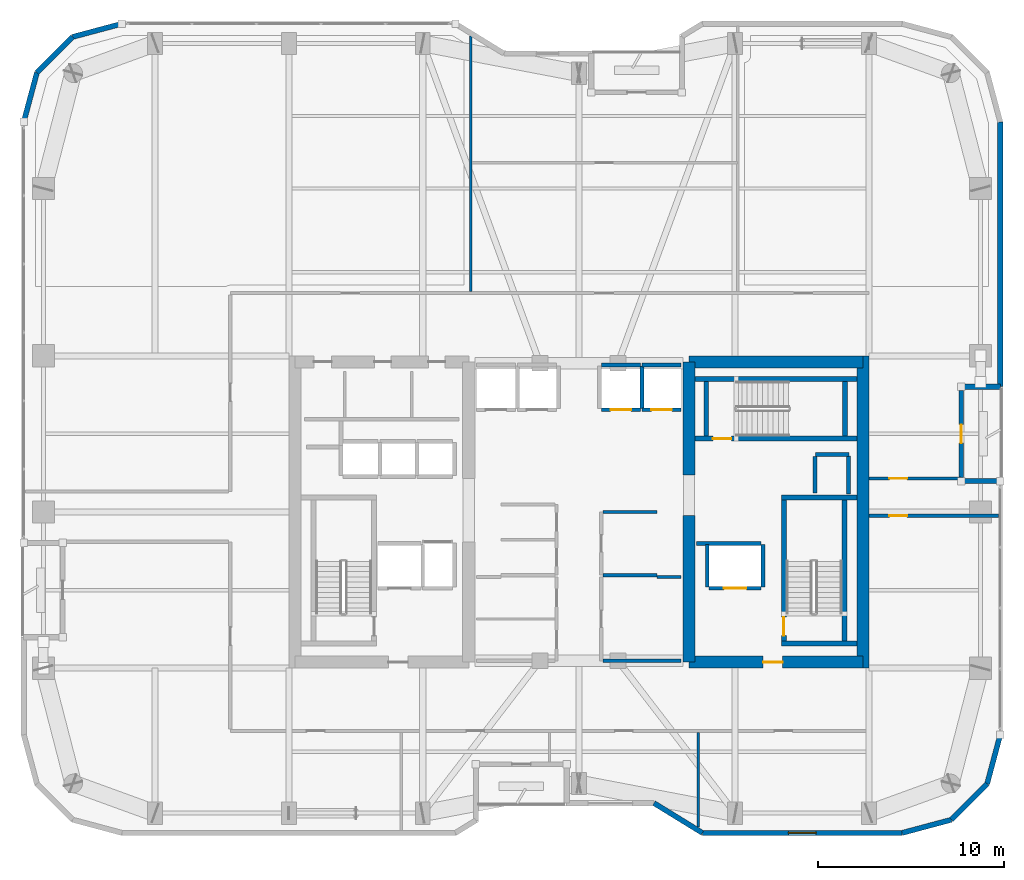
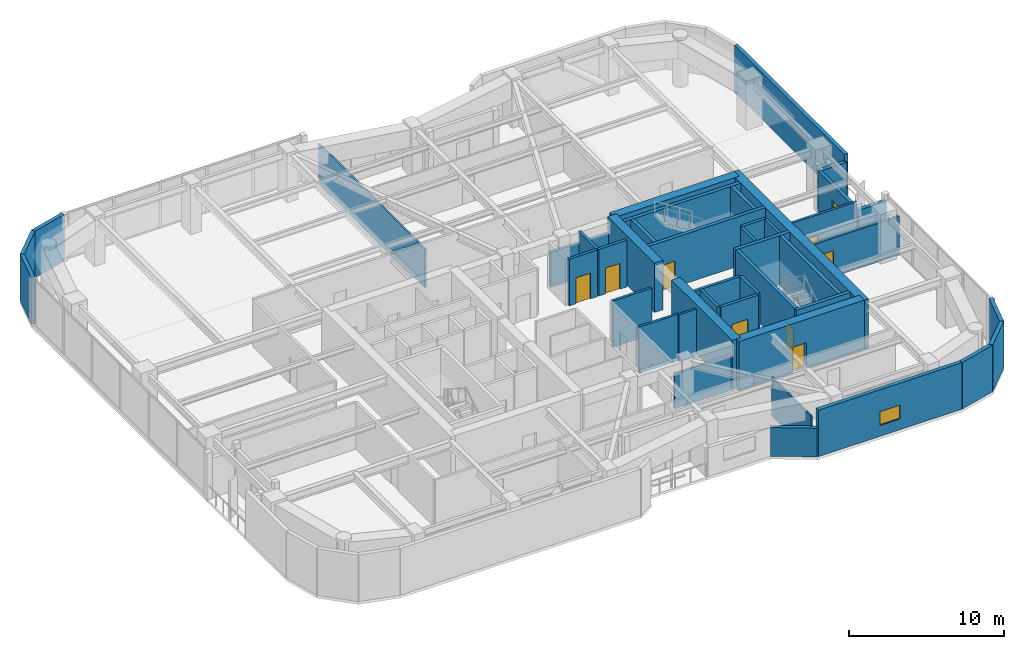
# One storey, part 26 of 30: 45 walls, 9 doors, 1 window, 10 openings.
"""IFC4 building model written with IfcOpenShell, lengths in metres."""

from ifc_helpers import new_model, si_unit, direction, frame, frame_2d, origin, place, context, subcontext, project, spatial, rectangle, extrude, material, layer, layer_set, type_object, element, fill, save


model = new_model("IFC4")

# Units and contexts
model_context = context("Model", 3, precision=1e-05, world=origin(), true_north=direction((0.0, 1.0)))
body_context = subcontext(model_context, "Body", "Model", "MODEL_VIEW")
ifc_project = project(units=[si_unit("LENGTHUNIT", "METRE"), si_unit("AREAUNIT", "SQUARE_METRE"), si_unit("VOLUMEUNIT", "CUBIC_METRE"), si_unit("PLANEANGLEUNIT", "RADIAN"), si_unit("MASSUNIT", "GRAM", prefix="KILO")], contexts=[model_context])

# Site, building, storey
site_placement = place(None, origin())
site = spatial("IfcSite", under=ifc_project, at=site_placement, CompositionType="ELEMENT")
building_placement = place(site_placement, origin())
building = spatial("IfcBuilding", under=site, at=building_placement, Name="Kiyonajd Concourse Tower", CompositionType="ELEMENT")
storey_placement = place(building_placement, frame((0.0, 0.0, 198.0)))
storey = spatial("IfcBuildingStorey", under=building, at=storey_placement, Name="L50", CompositionType="ELEMENT", Elevation=198.0)

# Walls
ifc_material_1 = material(Name="Concrete C60/75", Category="concrete")
ifc_layer_1 = layer(ifc_material_1, 0.64990234375)
ifc_layer_set_1 = layer_set([ifc_layer_1], Name="Concrete C60/75")
wall_type_1 = type_object("IfcWallType", Name="WL-CORE-650", PredefinedType="SHEAR", material=ifc_layer_set_1)
wall_1_placement = place(storey_placement, frame((53.925048828125, 27.925048828125, 0.0), z_axis=(0.0, 0.0, 1.0), x_axis=(0.0, 1.0, 0.0)))
element("IfcWall", 1, at=wall_1_placement, inside=storey, type_object=wall_type_1, Name="L50 East Core Inner South Shear Wall", PredefinedType="SHEAR", context=body_context, shape_type="SweptSolid", body=[
    extrude(rectangle(XDim=7.875, YDim=0.64990234375, at=frame_2d((3.9375, 0.0))), origin(), (0.0, 0.0, 1.0), 3.89990234375),
])
wall_2_placement = place(storey_placement, frame((53.925048828125, 38.0, 0.0), z_axis=(0.0, 0.0, 1.0), x_axis=(0.0, 1.0, 0.0)))
element("IfcWall", 2, at=wall_2_placement, inside=storey, type_object=wall_type_1, Name="L50 East Core Inner North Shear Wall", PredefinedType="SHEAR", context=body_context, shape_type="SweptSolid", body=[
    extrude(rectangle(XDim=6.074951171875, YDim=0.64990234375, at=frame_2d((3.03759765625, 0.0))), origin(), (0.0, 0.0, 1.0), 3.89990234375),
])
wall_3_placement = place(storey_placement, frame((63.27490234375, 27.60009765625, 0.0), z_axis=(0.0, 0.0, 1.0), x_axis=(0.0, 1.0, 0.0)))
element("IfcWall", 3, at=wall_3_placement, inside=storey, type_object=wall_type_1, Name="L50 East Core Outer Shear Wall", PredefinedType="SHEAR", context=body_context, shape_type="SweptSolid", body=[
    extrude(rectangle(XDim=16.7998046875, YDim=0.64990234375, at=frame_2d((8.39990234375, 0.0))), origin(), (0.0, 0.0, 1.0), 3.89990234375),
])

# Wall, opening, door
wall_4_placement = place(storey_placement, frame((53.925048828125, 27.925048828125, 0.0), z_axis=(0.0, 0.0, 1.0), x_axis=(1.0, 0.0, 0.0)))
wall_4 = element("IfcWall", 4, at=wall_4_placement, inside=storey, type_object=wall_type_1, Name="L50 East Core South Shear Wall", PredefinedType="SHEAR", context=body_context, shape_type="SweptSolid", body=[
    extrude(rectangle(XDim=9.349853515625, YDim=0.64990234375, at=frame_2d((4.6748046875, 0.0))), origin(), (0.0, 0.0, 1.0), 3.89990234375),
])
opening_1_placement = place(wall_4_placement, frame((3.97509765625, 0.0, 0.0)))
opening_1 = element("IfcOpeningElement", 5, at=opening_1_placement, cuts=wall_4, Name="Opening DF5", PredefinedType="OPENING", context=body_context, shape_type="SweptSolid", body=[
    extrude(rectangle(XDim=1.050048828125, YDim=2.0400390625, at=frame_2d((0.52490234375, 1.02001953125))), frame((0.0, 0.3349609375, 0.0), z_axis=(0.0, -1.0, 0.0), x_axis=(1.0, 0.0, 0.0)), (0.0, 0.0, 1.0), 0.669921875),
])
ifc_material_2 = material(Name="Brushed Stainless Steel Cab Assembly", Category="steel")
door_type_1 = type_object("IfcDoorType", Name="DR-FD45-1050", OperationType="NOTDEFINED", PredefinedType="DOOR", material=ifc_material_2)
door_1_placement = place(opening_1_placement, origin())
door_1 = element("IfcDoor", 6, at=door_1_placement, inside=storey, type_object=door_type_1, Name="L50 Firefighting Lift Lobby E Smoke Door", OperationType="SINGLE_SWING_RIGHT", OverallHeight=2.0400390625, OverallWidth=1.050048828125, PredefinedType="DOOR", context=body_context, shape_type="SweptSolid", body=[
    extrude(rectangle(XDim=1.050048828125, YDim=2.0400390625, at=frame_2d((0.52490234375, 1.02001953125))), frame((0.0, 0.02490234375, 0.0), z_axis=(0.0, -1.0, 0.0), x_axis=(1.0, 0.0, 0.0)), (0.0, 0.0, 1.0), 0.050048828125),
])
fill(opening_1, door_1)

# Walls
wall_5_placement = place(storey_placement, frame((53.925048828125, 44.074951171875, 0.0), z_axis=(0.0, 0.0, 1.0), x_axis=(1.0, 0.0, 0.0)))
element("IfcWall", 7, at=wall_5_placement, inside=storey, type_object=wall_type_1, Name="L50 East Core North Shear Wall", PredefinedType="SHEAR", context=body_context, shape_type="SweptSolid", body=[
    extrude(rectangle(XDim=9.349853515625, YDim=0.64990234375, at=frame_2d((4.6748046875, 0.0))), origin(), (0.0, 0.0, 1.0), 3.89990234375),
])
ifc_material_3 = material(Name="Precast concrete C50/60", Category="concrete")
ifc_layer_2 = layer(ifc_material_3, 0.280029296875)
ifc_layer_set_2 = layer_set([ifc_layer_2], Name="Precast concrete C50/60")
wall_type_2 = type_object("IfcWallType", Name="WL-EXT-280", PredefinedType="SOLIDWALL", material=ifc_layer_set_2)
wall_6_placement = place(storey_placement, frame((18.139892578125, 56.981689453125, 0.0), z_axis=(0.0, 0.0, 1.0), x_axis=(0.258672222976, 0.9659651552, 0.0)))
element("IfcWall", 8, at=wall_6_placement, inside=storey, type_object=wall_type_2, Name="L50 Exterior Concrete Frame Wall 06", PredefinedType="SOLIDWALL", context=body_context, shape_type="SweptSolid", body=[
    extrude(rectangle(XDim=2.739013671875, YDim=0.280029296875, at=frame_2d((1.36962890625, 0.0))), origin(), (0.0, 0.0, 1.0), 3.679931640625),
])
wall_7_placement = place(storey_placement, frame((18.848388671875, 59.62744140625, 0.0), z_axis=(0.0, 0.0, 1.0), x_axis=(0.707106781187, 0.707106781187, 0.0)))
element("IfcWall", 9, at=wall_7_placement, inside=storey, type_object=wall_type_2, Name="L50 Exterior Concrete Frame Wall 07", PredefinedType="SOLIDWALL", context=body_context, shape_type="SweptSolid", body=[
    extrude(rectangle(XDim=2.720947265625, YDim=0.280029296875, at=frame_2d((1.3603515625, 0.0))), origin(), (0.0, 0.0, 1.0), 3.679931640625),
])
wall_8_placement = place(storey_placement, frame((20.7724609375, 61.551513671875, 0.0), z_axis=(0.0, 0.0, 1.0), x_axis=(0.965971118627, 0.258649952598, 0.0)))
element("IfcWall", 10, at=wall_8_placement, inside=storey, type_object=wall_type_2, Name="L50 Exterior Concrete Frame Wall 08", PredefinedType="SOLIDWALL", context=body_context, shape_type="SweptSolid", body=[
    extrude(rectangle(XDim=2.7392578125, YDim=0.280029296875, at=frame_2d((1.36962890625, 0.0))), origin(), (0.0, 0.0, 1.0), 3.679931640625),
])
wall_9_placement = place(storey_placement, frame((70.659912109375, 56.981689453125, 0.0), z_axis=(0.0, 0.0, 1.0), x_axis=(0.0, -1.0, 0.0)))
element("IfcWall", 11, at=wall_9_placement, inside=storey, type_object=wall_type_2, Name="L50 Exterior Concrete Frame Wall 20", PredefinedType="SOLIDWALL", context=body_context, shape_type="SweptSolid", body=[
    extrude(rectangle(XDim=14.24169921875, YDim=0.280029296875, at=frame_2d((7.120849609375, 0.0))), origin(), (0.0, 0.0, 1.0), 3.679931640625),
])
for number, where, z_axis, x_axis, name in (
    (12, (70.659912109375, 42.739990234375, 0.0), (0.0, 0.0, 1.0), (-1.0, 0.0, 0.0), "L50 Exterior Concrete Frame Wall 21"),
    (13, (68.56005859375, 37.659912109375, 0.0), (0.0, 0.0, 1.0), (1.0, 0.0, 0.0), "L50 Exterior Concrete Frame Wall 23"),
):
    element("IfcWall", number, at=place(storey_placement, frame(where, z_axis=z_axis, x_axis=x_axis)), inside=storey, type_object=wall_type_2, Name=name, PredefinedType="SOLIDWALL", context=body_context, shape_type="SweptSolid", body=[
        extrude(rectangle(XDim=2.099853515625, YDim=0.280029296875, at=frame_2d((1.0498046875, 0.0))), origin(), (0.0, 0.0, 1.0), 3.115966796875),
    ])
wall_10_placement = place(storey_placement, frame((70.659912109375, 24.018310546875, 0.0), z_axis=(0.0, 0.0, 1.0), x_axis=(-0.258672222976, -0.9659651552, 0.0)))
element("IfcWall", 14, at=wall_10_placement, inside=storey, type_object=wall_type_2, Name="L50 Exterior Concrete Frame Wall 25", PredefinedType="SOLIDWALL", context=body_context, shape_type="SweptSolid", body=[
    extrude(rectangle(XDim=2.739013671875, YDim=0.280029296875, at=frame_2d((1.36962890625, 0.0))), origin(), (0.0, 0.0, 1.0), 3.679931640625),
])
wall_11_placement = place(storey_placement, frame((69.951416015625, 21.37255859375, 0.0), z_axis=(0.0, 0.0, 1.0), x_axis=(-0.707061915429, -0.707151644098, 0.0)))
element("IfcWall", 15, at=wall_11_placement, inside=storey, type_object=wall_type_2, Name="L50 Exterior Concrete Frame Wall 26", PredefinedType="SOLIDWALL", context=body_context, shape_type="SweptSolid", body=[
    extrude(rectangle(XDim=2.720947265625, YDim=0.280029296875, at=frame_2d((1.3603515625, 0.0))), origin(), (0.0, 0.0, 1.0), 3.679931640625),
])
wall_12_placement = place(storey_placement, frame((68.027587890625, 19.448486328125, 0.0), z_axis=(0.0, 0.0, 1.0), x_axis=(-0.965971118627, -0.258649952598, 0.0)))
element("IfcWall", 16, at=wall_12_placement, inside=storey, type_object=wall_type_2, Name="L50 Exterior Concrete Frame Wall 27", PredefinedType="SOLIDWALL", context=body_context, shape_type="SweptSolid", body=[
    extrude(rectangle(XDim=2.7392578125, YDim=0.280029296875, at=frame_2d((1.36962890625, 0.0))), origin(), (0.0, 0.0, 1.0), 3.679931640625),
])

# Wall, opening, window
wall_13_placement = place(storey_placement, frame((65.381591796875, 18.739990234375, 0.0), z_axis=(0.0, 0.0, 1.0), x_axis=(-1.0, 0.0, 0.0)))
wall_13 = element("IfcWall", 17, at=wall_13_placement, inside=storey, type_object=wall_type_2, Name="L50 Exterior Concrete Frame Wall 28", PredefinedType="SOLIDWALL", context=body_context, shape_type="SweptSolid", body=[
    extrude(rectangle(XDim=10.741943359375, YDim=0.280029296875, at=frame_2d((5.37109375, 0.0))), origin(), (0.0, 0.0, 1.0), 3.679931640625),
])
opening_2_placement = place(wall_13_placement, frame((4.62109375, 0.0, 0.85009765625)))
opening_2 = element("IfcOpeningElement", 18, at=opening_2_placement, cuts=wall_13, Name="Opening WN2", PredefinedType="OPENING", context=body_context, shape_type="SweptSolid", body=[
    extrude(rectangle(XDim=1.5, YDim=1.10009765625, at=frame_2d((0.75, 0.550048828125))), frame((0.0, 0.14990234375, 0.0), z_axis=(0.0, -1.0, 0.0), x_axis=(1.0, 0.0, 0.0)), (0.0, 0.0, 1.0), 0.300048828125),
])
ifc_material_4 = material(Name="Double Low-E Insulated Glass", Category="glass")
window_type = type_object("IfcWindowType", Name="WN-VIS-1500x1100", PartitioningType="SINGLE_PANEL", PredefinedType="WINDOW", material=ifc_material_4)
window_placement = place(opening_2_placement, origin())
window = element("IfcWindow", 19, at=window_placement, inside=storey, type_object=window_type, Name="L50 Modular Facade Vision Window 28", OverallHeight=1.10009765625, OverallWidth=1.5, PartitioningType="SINGLE_PANEL", PredefinedType="WINDOW", context=body_context, shape_type="SweptSolid", body=[
    extrude(rectangle(XDim=1.5, YDim=1.10009765625, at=frame_2d((0.75, 0.550048828125))), frame((0.0, 0.030029296875, 0.0), z_axis=(0.0, -1.0, 0.0), x_axis=(1.0, 0.0, 0.0)), (0.0, 0.0, 1.0), 0.06005859375),
])
fill(opening_2, window)

# Wall
wall_14_placement = place(storey_placement, frame((54.6396484375, 18.739990234375, 0.0), z_axis=(0.0, 0.0, 1.0), x_axis=(-0.851652825334, 0.524106349037, 0.0)))
element("IfcWall", 20, at=wall_14_placement, inside=storey, type_object=wall_type_2, Name="L50 Exterior Concrete Frame Wall 29", PredefinedType="SOLIDWALL", context=body_context, shape_type="SweptSolid", body=[
    extrude(rectangle(XDim=3.052978515625, YDim=0.280029296875, at=frame_2d((1.5263671875, 0.0))), origin(), (0.0, 0.0, 1.0), 2.264892578125),
])

# Wall, opening, door
ifc_layer_3 = layer(ifc_material_3, 0.239990234375)
ifc_layer_set_3 = layer_set([ifc_layer_3], Name="Precast concrete C50/60")
wall_type_3 = type_object("IfcWallType", Name="WL-LOG-240", PredefinedType="SOLIDWALL", material=ifc_layer_set_3)
wall_15_placement = place(storey_placement, frame((68.56005859375, 42.544921875, 0.0), z_axis=(0.0, 0.0, 1.0), x_axis=(0.0, -1.0, 0.0)))
wall_15 = element("IfcWall", 21, at=wall_15_placement, inside=storey, type_object=wall_type_3, Name="L50 Recessed Loggia Thermal Wall LOG-E", PredefinedType="SOLIDWALL", context=body_context, shape_type="SweptSolid", body=[
    extrude(rectangle(XDim=4.68994140625, YDim=0.239990234375, at=frame_2d((2.344970703125, 0.0))), origin(), (0.0, 0.0, 1.0), 3.248046875),
])
opening_3_placement = place(wall_15_placement, frame((1.844970703125, 0.0, 0.0)))
opening_3 = element("IfcOpeningElement", 22, at=opening_3_placement, cuts=wall_15, Name="Opening DL1", PredefinedType="OPENING", context=body_context, shape_type="SweptSolid", body=[
    extrude(rectangle(XDim=1.0, YDim=2.02001953125, at=frame_2d((0.5, 1.010009765625))), frame((0.0, 0.1298828125, 0.0), z_axis=(0.0, -1.0, 0.0), x_axis=(1.0, 0.0, 0.0)), (0.0, 0.0, 1.0), 0.260009765625),
])
ifc_material_5 = material(Name="Thermally Broken Anodised Aluminium", Category="aluminium")
door_type_2 = type_object("IfcDoorType", Name="DR-LOG-1000", OperationType="NOTDEFINED", PredefinedType="DOOR", material=ifc_material_5)
door_2_placement = place(opening_3_placement, origin())
door_2 = element("IfcDoor", 23, at=door_2_placement, inside=storey, type_object=door_type_2, Name="L50 Engawa Loggia Access Door LOG-E", OperationType="SINGLE_SWING_LEFT", OverallHeight=2.02001953125, OverallWidth=1.0, PredefinedType="DOOR", context=body_context, shape_type="SweptSolid", body=[
    extrude(rectangle(XDim=1.0, YDim=2.02001953125, at=frame_2d((0.5, 1.010009765625))), frame((0.0, 0.02490234375, 0.0), z_axis=(0.0, -1.0, 0.0), x_axis=(1.0, 0.0, 0.0)), (0.0, 0.0, 1.0), 0.050048828125),
])
fill(opening_3, door_2)

# Walls
ifc_material_6 = material(Name="Gypsum Board on Cold-Formed Steel Stud", Category="steel")
ifc_layer_4 = layer(ifc_material_6, 0.125)
ifc_layer_set_4 = layer_set([ifc_layer_4], Name="Gypsum Board on Cold-Formed Steel Stud")
wall_type_4 = type_object("IfcWallType", Name="WL-PART-125", PredefinedType="PARTITIONING", material=ifc_layer_set_4)
wall_16_placement = place(storey_placement, frame((54.409912109375, 19.050048828125, 0.0), z_axis=(0.0, 0.0, 1.0), x_axis=(0.0, 1.0, 0.0)))
element("IfcWall", 24, at=wall_16_placement, inside=storey, type_object=wall_type_4, Name="L50 Interior Partition Wall", PredefinedType="PARTITIONING", context=body_context, shape_type="SweptSolid", body=[
    extrude(rectangle(XDim=5.093017578125, YDim=0.125, at=frame_2d((2.54638671875, 0.0))), origin(), (0.0, 0.0, 1.0), 3.04296875),
])
wall_17_placement = place(storey_placement, frame((42.179931640625, 47.85693359375, 0.0), z_axis=(0.0, 0.0, 1.0), x_axis=(0.0, 1.0, 0.0)))
element("IfcWall", 25, at=wall_17_placement, inside=storey, type_object=wall_type_4, Name="L50 Interior Partition Wall", PredefinedType="PARTITIONING", context=body_context, shape_type="SweptSolid", body=[
    extrude(rectangle(XDim=13.72998046875, YDim=0.125, at=frame_2d((6.864990234375, 0.0))), origin(), (0.0, 0.0, 1.0), 3.04296875),
])
ifc_layer_5 = layer(ifc_material_6, 0.2099609375)
ifc_layer_set_5 = layer_set([ifc_layer_5], Name="Gypsum Board on Cold-Formed Steel Stud")
wall_type_5 = type_object("IfcWallType", Name="WL-SHAFT-210", PredefinedType="PARTITIONING", material=ifc_layer_set_5)
wall_18_placement = place(storey_placement, frame((60.719970703125, 39.10009765625, 0.0), z_axis=(0.0, 0.0, 1.0), x_axis=(1.0, 0.0, 0.0)))
element("IfcWall", 26, at=wall_18_placement, inside=storey, type_object=wall_type_5, Name="L50 Shaft Enclosure Wall", PredefinedType="PARTITIONING", context=body_context, shape_type="SweptSolid", body=[
    extrude(rectangle(XDim=1.800048828125, YDim=0.2099609375, at=frame_2d((0.89990234375, 0.0))), origin(), (0.0, 0.0, 1.0), 3.679931640625),
])
wall_19_placement = place(storey_placement, frame((60.699951171875, 37.02001953125, 0.0), z_axis=(0.0, 0.0, 1.0), x_axis=(0.0, 1.0, 0.0)))
element("IfcWall", 27, at=wall_19_placement, inside=storey, type_object=wall_type_5, Name="L50 Shaft Enclosure Wall", PredefinedType="PARTITIONING", context=body_context, shape_type="SweptSolid", body=[
    extrude(rectangle(XDim=1.9599609375, YDim=0.2099609375, at=frame_2d((0.97998046875, 0.0))), origin(), (0.0, 0.0, 1.0), 3.679931640625),
])
wall_20_placement = place(storey_placement, frame((62.5, 36.97998046875, 0.0), z_axis=(0.0, 0.0, 1.0), x_axis=(0.0, 1.0, 0.0)))
element("IfcWall", 28, at=wall_20_placement, inside=storey, type_object=wall_type_5, Name="L50 Shaft Enclosure Wall", PredefinedType="PARTITIONING", context=body_context, shape_type="SweptSolid", body=[
    extrude(rectangle(XDim=2.0400390625, YDim=0.2099609375, at=frame_2d((1.02001953125, 0.0))), origin(), (0.0, 0.0, 1.0), 3.679931640625),
])

# Wall, opening, door
wall_21_placement = place(storey_placement, frame((55.0, 31.89990234375, 0.0), z_axis=(0.0, 0.0, 1.0), x_axis=(1.0, 0.0, 0.0)))
wall_21 = element("IfcWall", 29, at=wall_21_placement, inside=storey, type_object=wall_type_5, Name="L50 Shaft Enclosure Wall", PredefinedType="PARTITIONING", context=body_context, shape_type="SweptSolid", body=[
    extrude(rectangle(XDim=2.800048828125, YDim=0.2099609375, at=frame_2d((1.39990234375, 0.0))), origin(), (0.0, 0.0, 1.0), 3.679931640625),
])
opening_4_placement = place(wall_21_placement, frame((0.800048828125, 0.0, 0.0)))
opening_4 = element("IfcOpeningElement", 30, at=opening_4_placement, cuts=wall_21, Name="Opening LD2", PredefinedType="OPENING", context=body_context, shape_type="SweptSolid", body=[
    extrude(rectangle(XDim=1.199951171875, YDim=2.0400390625, at=frame_2d((0.60009765625, 1.02001953125))), frame((0.0, 0.114990234375, 0.0), z_axis=(0.0, -1.0, 0.0), x_axis=(1.0, 0.0, 0.0)), (0.0, 0.0, 1.0), 0.22998046875),
])
door_type_3 = type_object("IfcDoorType", Name="DR-LD-1200", OperationType="DOUBLE_DOOR_SLIDING", PredefinedType="DOOR", material=ifc_material_2)
door_3_placement = place(opening_4_placement, origin())
door_3 = element("IfcDoor", 31, at=door_3_placement, inside=storey, type_object=door_type_3, Name="L50 Lift FFL2 Sliding Landing Door", OperationType="DOUBLE_DOOR_SLIDING", OverallHeight=2.0400390625, OverallWidth=1.199951171875, PredefinedType="DOOR", context=body_context, shape_type="SweptSolid", body=[
    extrude(rectangle(XDim=1.199951171875, YDim=2.0400390625, at=frame_2d((0.60009765625, 1.02001953125))), frame((0.0, 0.02490234375, 0.0), z_axis=(0.0, -1.0, 0.0), x_axis=(1.0, 0.0, 0.0)), (0.0, 0.0, 1.0), 0.050048828125),
])
fill(opening_4, door_3)

# Walls
wall_22_placement = place(storey_placement, frame((54.320068359375, 34.300048828125, 0.0), z_axis=(0.0, 0.0, 1.0), x_axis=(1.0, 0.0, 0.0)))
element("IfcWall", 32, at=wall_22_placement, inside=storey, type_object=wall_type_5, Name="L50 Shaft Enclosure Wall", PredefinedType="PARTITIONING", context=body_context, shape_type="SweptSolid", body=[
    extrude(rectangle(XDim=3.47998046875, YDim=0.2099609375, at=frame_2d((1.739990234375, 0.0))), origin(), (0.0, 0.0, 1.0), 3.679931640625),
])
for number, where, z_axis, x_axis, name in (
    (33, (54.89990234375, 31.9599609375, 0.0), (0.0, 0.0, 1.0), (0.0, 1.0, 0.0), "L50 Shaft Enclosure Wall"),
    (34, (57.89990234375, 31.9599609375, 0.0), (0.0, 0.0, 1.0), (0.0, 1.0, 0.0), "L50 Shaft Enclosure Wall"),
):
    element("IfcWall", number, at=place(storey_placement, frame(where, z_axis=z_axis, x_axis=x_axis)), inside=storey, type_object=wall_type_5, Name=name, PredefinedType="PARTITIONING", context=body_context, shape_type="SweptSolid", body=[
        extrude(rectangle(XDim=2.280029296875, YDim=0.2099609375, at=frame_2d((1.14013671875, 0.0))), origin(), (0.0, 0.0, 1.0), 3.679931640625),
    ])

# Wall, opening, door
wall_23_placement = place(storey_placement, frame((49.199951171875, 41.5, 0.0), z_axis=(0.0, 0.0, 1.0), x_axis=(1.0, 0.0, 0.0)))
wall_23 = element("IfcWall", 35, at=wall_23_placement, inside=storey, type_object=wall_type_5, Name="L50 Shaft Enclosure Wall", PredefinedType="PARTITIONING", context=body_context, shape_type="SweptSolid", body=[
    extrude(rectangle(XDim=2.10009765625, YDim=0.2099609375, at=frame_2d((1.050048828125, 0.0))), origin(), (0.0, 0.0, 1.0), 3.679931640625),
])
opening_5_placement = place(wall_23_placement, frame((0.5, 0.0, 0.0)))
opening_5 = element("IfcOpeningElement", 36, at=opening_5_placement, cuts=wall_23, Name="Opening LD1", PredefinedType="OPENING", context=body_context, shape_type="SweptSolid", body=[
    extrude(rectangle(XDim=1.10009765625, YDim=2.0400390625, at=frame_2d((0.550048828125, 1.02001953125))), frame((0.0, 0.114990234375, 0.0), z_axis=(0.0, -1.0, 0.0), x_axis=(1.0, 0.0, 0.0)), (0.0, 0.0, 1.0), 0.22998046875),
])
door_type_4 = type_object("IfcDoorType", Name="DR-LD-1100", OperationType="DOUBLE_DOOR_SLIDING", PredefinedType="DOOR", material=ifc_material_2)
door_4_placement = place(opening_5_placement, origin())
door_4 = element("IfcDoor", 37, at=door_4_placement, inside=storey, type_object=door_type_4, Name="L50 Lift PL-M3 Sliding Landing Door", OperationType="DOUBLE_DOOR_SLIDING", OverallHeight=2.0400390625, OverallWidth=1.10009765625, PredefinedType="DOOR", context=body_context, shape_type="SweptSolid", body=[
    extrude(rectangle(XDim=1.10009765625, YDim=2.0400390625, at=frame_2d((0.550048828125, 1.02001953125))), frame((0.0, 0.02490234375, 0.0), z_axis=(0.0, -1.0, 0.0), x_axis=(1.0, 0.0, 0.0)), (0.0, 0.0, 1.0), 0.050048828125),
])
fill(opening_5, door_4)

# Walls
wall_24_placement = place(storey_placement, frame((49.199951171875, 43.89990234375, 0.0), z_axis=(0.0, 0.0, 1.0), x_axis=(1.0, 0.0, 0.0)))
element("IfcWall", 38, at=wall_24_placement, inside=storey, type_object=wall_type_5, Name="L50 Shaft Enclosure Wall", PredefinedType="PARTITIONING", context=body_context, shape_type="SweptSolid", body=[
    extrude(rectangle(XDim=2.10009765625, YDim=0.2099609375, at=frame_2d((1.050048828125, 0.0))), origin(), (0.0, 0.0, 1.0), 2.764892578125),
])
wall_25_placement = place(storey_placement, frame((51.39990234375, 41.56005859375, 0.0), z_axis=(0.0, 0.0, 1.0), x_axis=(0.0, 1.0, 0.0)))
element("IfcWall", 39, at=wall_25_placement, inside=storey, type_object=wall_type_5, Name="L50 Shaft Enclosure Wall", PredefinedType="PARTITIONING", context=body_context, shape_type="SweptSolid", body=[
    extrude(rectangle(XDim=2.280029296875, YDim=0.2099609375, at=frame_2d((1.14013671875, 0.0))), origin(), (0.0, 0.0, 1.0), 3.679931640625),
])

# Wall, opening, door
wall_26_placement = place(storey_placement, frame((51.39990234375, 41.5, 0.0), z_axis=(0.0, 0.0, 1.0), x_axis=(1.0, 0.0, 0.0)))
wall_26 = element("IfcWall", 40, at=wall_26_placement, inside=storey, type_object=wall_type_5, Name="L50 Shaft Enclosure Wall", PredefinedType="PARTITIONING", context=body_context, shape_type="SweptSolid", body=[
    extrude(rectangle(XDim=2.10009765625, YDim=0.2099609375, at=frame_2d((1.050048828125, 0.0))), origin(), (0.0, 0.0, 1.0), 3.679931640625),
])
opening_6_placement = place(wall_26_placement, frame((0.5, 0.0, 0.0)))
opening_6 = element("IfcOpeningElement", 41, at=opening_6_placement, cuts=wall_26, Name="Opening LD1", PredefinedType="OPENING", context=body_context, shape_type="SweptSolid", body=[
    extrude(rectangle(XDim=1.10009765625, YDim=2.0400390625, at=frame_2d((0.550048828125, 1.02001953125))), frame((0.0, 0.114990234375, 0.0), z_axis=(0.0, -1.0, 0.0), x_axis=(1.0, 0.0, 0.0)), (0.0, 0.0, 1.0), 0.22998046875),
])
door_5_placement = place(opening_6_placement, origin())
door_5 = element("IfcDoor", 42, at=door_5_placement, inside=storey, type_object=door_type_4, Name="L50 Lift PL-M4 Sliding Landing Door", OperationType="DOUBLE_DOOR_SLIDING", OverallHeight=2.0400390625, OverallWidth=1.10009765625, PredefinedType="DOOR", context=body_context, shape_type="SweptSolid", body=[
    extrude(rectangle(XDim=1.10009765625, YDim=2.0400390625, at=frame_2d((0.550048828125, 1.02001953125))), frame((0.0, 0.02490234375, 0.0), z_axis=(0.0, -1.0, 0.0), x_axis=(1.0, 0.0, 0.0)), (0.0, 0.0, 1.0), 0.050048828125),
])
fill(opening_6, door_5)

# Walls
wall_27_placement = place(storey_placement, frame((51.39990234375, 43.89990234375, 0.0), z_axis=(0.0, 0.0, 1.0), x_axis=(1.0, 0.0, 0.0)))
element("IfcWall", 43, at=wall_27_placement, inside=storey, type_object=wall_type_5, Name="L50 Shaft Enclosure Wall", PredefinedType="PARTITIONING", context=body_context, shape_type="SweptSolid", body=[
    extrude(rectangle(XDim=2.10009765625, YDim=0.2099609375, at=frame_2d((1.050048828125, 0.0))), origin(), (0.0, 0.0, 1.0), 2.764892578125),
])
ifc_layer_6 = layer(ifc_material_6, 0.169921875)
ifc_layer_set_6 = layer_set([ifc_layer_6], Name="Gypsum Board on Cold-Formed Steel Stud")
wall_type_6 = type_object("IfcWallType", Name="WL-SMK-170", PredefinedType="PARTITIONING", material=ifc_layer_set_6)
for number, where, z_axis, x_axis, name in (
    (44, (49.287109375, 32.60009765625, 0.0), (0.0, 0.0, 1.0), (1.0, 0.0, 0.0), "L50 Interior Partition Wall"),
    (45, (49.287109375, 36.0, 0.0), (0.0, 0.0, 1.0), (1.0, 0.0, 0.0), "L50 Interior Partition Wall"),
):
    element("IfcWall", number, at=place(storey_placement, frame(where, z_axis=z_axis, x_axis=x_axis)), inside=storey, type_object=wall_type_6, Name=name, PredefinedType="PARTITIONING", context=body_context, shape_type="SweptSolid", body=[
        extrude(rectangle(XDim=2.912841796875, YDim=0.169921875, at=frame_2d((1.45654296875, 0.0))), origin(), (0.0, 0.0, 1.0), 3.679931640625),
    ])
wall_28_placement = place(storey_placement, frame((49.287109375, 28.0, 0.0), z_axis=(0.0, 0.0, 1.0), x_axis=(1.0, 0.0, 0.0)))
element("IfcWall", 46, at=wall_28_placement, inside=storey, type_object=wall_type_6, Name="L50 Interior Partition Wall", PredefinedType="PARTITIONING", context=body_context, shape_type="SweptSolid", body=[
    extrude(rectangle(XDim=4.212890625, YDim=0.169921875, at=frame_2d((2.1064453125, 0.0))), origin(), (0.0, 0.0, 1.0), 2.764892578125),
])
wall_29_placement = place(storey_placement, frame((52.199951171875, 32.5, 0.0), z_axis=(0.0, 0.0, 1.0), x_axis=(1.0, 0.0, 0.0)))
element("IfcWall", 47, at=wall_29_placement, inside=storey, type_object=wall_type_6, Name="L50 Interior Partition Wall", PredefinedType="PARTITIONING", context=body_context, shape_type="SweptSolid", body=[
    extrude(rectangle(XDim=1.300048828125, YDim=0.169921875, at=frame_2d((0.64990234375, 0.0))), origin(), (0.0, 0.0, 1.0), 3.679931640625),
])

# Wall, opening, door
wall_30_placement = place(storey_placement, frame((63.60009765625, 35.800048828125, 0.0), z_axis=(0.0, 0.0, 1.0), x_axis=(1.0, 0.0, 0.0)))
wall_30 = element("IfcWall", 48, at=wall_30_placement, inside=storey, type_object=wall_type_6, Name="L50 Interior Partition Wall", PredefinedType="PARTITIONING", context=body_context, shape_type="SweptSolid", body=[
    extrude(rectangle(XDim=6.974853515625, YDim=0.169921875, at=frame_2d((3.4873046875, 0.0))), origin(), (0.0, 0.0, 1.0), 3.04296875),
])
opening_7_placement = place(wall_30_placement, frame((1.10009765625, 0.0, 0.0)))
opening_7 = element("IfcOpeningElement", 49, at=opening_7_placement, cuts=wall_30, Name="Opening DI1", PredefinedType="OPENING", context=body_context, shape_type="SweptSolid", body=[
    extrude(rectangle(XDim=0.949951171875, YDim=2.0400390625, at=frame_2d((0.47509765625, 1.02001953125))), frame((0.0, 0.094970703125, 0.0), z_axis=(0.0, -1.0, 0.0), x_axis=(1.0, 0.0, 0.0)), (0.0, 0.0, 1.0), 0.18994140625),
])
ifc_material_7 = material(Name="Natural Oak Acoustic Timber Veneer", Category="wood")
door_type_5 = type_object("IfcDoorType", Name="DR-INT-950", OperationType="NOTDEFINED", PredefinedType="DOOR", material=ifc_material_7)
door_6_placement = place(opening_7_placement, origin())
door_6 = element("IfcDoor", 50, at=door_6_placement, inside=storey, type_object=door_type_5, Name="L50 Interior Door", OperationType="SINGLE_SWING_RIGHT", OverallHeight=2.0400390625, OverallWidth=0.949951171875, PredefinedType="DOOR", context=body_context, shape_type="SweptSolid", body=[
    extrude(rectangle(XDim=0.949951171875, YDim=2.0400390625, at=frame_2d((0.47509765625, 1.02001953125))), frame((0.0, 0.02490234375, 0.0), z_axis=(0.0, -1.0, 0.0), x_axis=(1.0, 0.0, 0.0)), (0.0, 0.0, 1.0), 0.050048828125),
])
fill(opening_7, door_6)

wall_31_placement = place(storey_placement, frame((63.60009765625, 37.800048828125, 0.0), z_axis=(0.0, 0.0, 1.0), x_axis=(1.0, 0.0, 0.0)))
wall_31 = element("IfcWall", 51, at=wall_31_placement, inside=storey, type_object=wall_type_6, Name="L50 Interior Partition Wall", PredefinedType="PARTITIONING", context=body_context, shape_type="SweptSolid", body=[
    extrude(rectangle(XDim=4.9599609375, YDim=0.169921875, at=frame_2d((2.47998046875, 0.0))), origin(), (0.0, 0.0, 1.0), 3.679931640625),
])
opening_8_placement = place(wall_31_placement, frame((1.10009765625, 0.0, 0.0)))
opening_8 = element("IfcOpeningElement", 52, at=opening_8_placement, cuts=wall_31, Name="Opening DI1", PredefinedType="OPENING", context=body_context, shape_type="SweptSolid", body=[
    extrude(rectangle(XDim=0.949951171875, YDim=2.0400390625, at=frame_2d((0.47509765625, 1.02001953125))), frame((0.0, 0.094970703125, 0.0), z_axis=(0.0, -1.0, 0.0), x_axis=(1.0, 0.0, 0.0)), (0.0, 0.0, 1.0), 0.18994140625),
])
door_7_placement = place(opening_8_placement, origin())
door_7 = element("IfcDoor", 53, at=door_7_placement, inside=storey, type_object=door_type_5, Name="L50 Interior Door", OperationType="SINGLE_SWING_LEFT", OverallHeight=2.0400390625, OverallWidth=0.949951171875, PredefinedType="DOOR", context=body_context, shape_type="SweptSolid", body=[
    extrude(rectangle(XDim=0.949951171875, YDim=2.0400390625, at=frame_2d((0.47509765625, 1.02001953125))), frame((0.0, 0.02490234375, 0.0), z_axis=(0.0, -1.0, 0.0), x_axis=(1.0, 0.0, 0.0)), (0.0, 0.0, 1.0), 0.050048828125),
])
fill(opening_8, door_7)

# Walls
ifc_material_8 = material(Name="Concrete C50/60", Category="concrete")
ifc_layer_7 = layer(ifc_material_8, 0.260009765625)
ifc_layer_set_7 = layer_set([ifc_layer_7], Name="Concrete C50/60")
wall_type_7 = type_object("IfcWallType", Name="WL-STAIR-260", PredefinedType="SHEAR", material=ifc_layer_set_7)
for number, where, z_axis, x_axis, name in (
    (54, (58.889892578125, 28.919921875, 0.0), (0.0, 0.0, 1.0), (1.0, 0.0, 0.0), "L50 Stair ST2 Structural South Wall"),
    (55, (58.889892578125, 36.780029296875, 0.0), (0.0, 0.0, 1.0), (1.0, 0.0, 0.0), "L50 Stair ST2 Structural North Wall"),
):
    element("IfcWall", number, at=place(storey_placement, frame(where, z_axis=z_axis, x_axis=x_axis)), inside=storey, type_object=wall_type_7, Name=name, PredefinedType="SHEAR", context=body_context, shape_type="SweptSolid", body=[
        extrude(rectangle(XDim=4.06005859375, YDim=0.260009765625, at=frame_2d((2.030029296875, 0.0))), origin(), (0.0, 0.0, 1.0), 3.89990234375),
    ])

# Wall, opening, door
wall_32_placement = place(storey_placement, frame((59.02001953125, 29.050048828125, 0.0), z_axis=(0.0, 0.0, 1.0), x_axis=(0.0, 1.0, 0.0)))
wall_32 = element("IfcWall", 56, at=wall_32_placement, inside=storey, type_object=wall_type_7, Name="L50 Stair ST2 Structural West Wall", PredefinedType="SHEAR", context=body_context, shape_type="SweptSolid", body=[
    extrude(rectangle(XDim=7.599853515625, YDim=0.260009765625, at=frame_2d((3.7998046875, 0.0))), origin(), (0.0, 0.0, 1.0), 3.89990234375),
])
opening_9_placement = place(wall_32_placement, frame((0.300048828125, 0.0, 0.0)))
opening_9 = element("IfcOpeningElement", 57, at=opening_9_placement, cuts=wall_32, Name="Opening DF1", PredefinedType="OPENING", context=body_context, shape_type="SweptSolid", body=[
    extrude(rectangle(XDim=1.0, YDim=2.0400390625, at=frame_2d((0.5, 1.02001953125))), frame((0.0, 0.139892578125, 0.0), z_axis=(0.0, -1.0, 0.0), x_axis=(1.0, 0.0, 0.0)), (0.0, 0.0, 1.0), 0.280029296875),
])
door_type_6 = type_object("IfcDoorType", Name="DR-FD90-1000", OperationType="NOTDEFINED", PredefinedType="DOOR", material=ifc_material_2)
door_8_placement = place(opening_9_placement, origin())
door_8 = element("IfcDoor", 58, at=door_8_placement, inside=storey, type_object=door_type_6, Name="L50 Stair ST2 FSAE Door", OperationType="SINGLE_SWING_RIGHT", OverallHeight=2.0400390625, OverallWidth=1.0, PredefinedType="DOOR", context=body_context, shape_type="SweptSolid", body=[
    extrude(rectangle(XDim=1.0, YDim=2.0400390625, at=frame_2d((0.5, 1.02001953125))), frame((0.0, 0.02490234375, 0.0), z_axis=(0.0, -1.0, 0.0), x_axis=(1.0, 0.0, 0.0)), (0.0, 0.0, 1.0), 0.050048828125),
])
fill(opening_9, door_8)

# Wall
wall_33_placement = place(storey_placement, frame((62.280029296875, 29.050048828125, 0.0), z_axis=(0.0, 0.0, 1.0), x_axis=(0.0, 1.0, 0.0)))
element("IfcWall", 59, at=wall_33_placement, inside=storey, type_object=wall_type_7, Name="L50 Stair ST2 Structural East Wall", PredefinedType="SHEAR", context=body_context, shape_type="SweptSolid", body=[
    extrude(rectangle(XDim=7.599853515625, YDim=0.260009765625, at=frame_2d((3.7998046875, 0.0))), origin(), (0.0, 0.0, 1.0), 3.89990234375),
])

# Wall, opening, door
wall_34_placement = place(storey_placement, frame((54.25, 39.949951171875, 0.0), z_axis=(0.0, 0.0, 1.0), x_axis=(1.0, 0.0, 0.0)))
wall_34 = element("IfcWall", 60, at=wall_34_placement, inside=storey, type_object=wall_type_7, Name="L50 Stair ST3 Structural South Wall", PredefinedType="SHEAR", context=body_context, shape_type="SweptSolid", body=[
    extrude(rectangle(XDim=8.699951171875, YDim=0.260009765625, at=frame_2d((4.35009765625, 0.0))), origin(), (0.0, 0.0, 1.0), 3.89990234375),
])
opening_10_placement = place(wall_34_placement, frame((0.949951171875, 0.0, 0.0)))
opening_10 = element("IfcOpeningElement", 61, at=opening_10_placement, cuts=wall_34, Name="Opening DF1", PredefinedType="OPENING", context=body_context, shape_type="SweptSolid", body=[
    extrude(rectangle(XDim=1.0, YDim=2.0400390625, at=frame_2d((0.5, 1.02001953125))), frame((0.0, 0.139892578125, 0.0), z_axis=(0.0, -1.0, 0.0), x_axis=(1.0, 0.0, 0.0)), (0.0, 0.0, 1.0), 0.280029296875),
])
door_9_placement = place(opening_10_placement, origin())
door_9 = element("IfcDoor", 62, at=door_9_placement, inside=storey, type_object=door_type_6, Name="L50 Stair ST3 Enclosure Door", OperationType="SINGLE_SWING_LEFT", OverallHeight=2.0400390625, OverallWidth=1.0, PredefinedType="DOOR", context=body_context, shape_type="SweptSolid", body=[
    extrude(rectangle(XDim=1.0, YDim=2.0400390625, at=frame_2d((0.5, 1.02001953125))), frame((0.0, 0.02490234375, 0.0), z_axis=(0.0, -1.0, 0.0), x_axis=(1.0, 0.0, 0.0)), (0.0, 0.0, 1.0), 0.050048828125),
])
fill(opening_10, door_9)

# Walls
wall_35_placement = place(storey_placement, frame((54.25, 43.14990234375, 0.0), z_axis=(0.0, 0.0, 1.0), x_axis=(1.0, 0.0, 0.0)))
element("IfcWall", 63, at=wall_35_placement, inside=storey, type_object=wall_type_7, Name="L50 Stair ST3 Structural North Wall", PredefinedType="SHEAR", context=body_context, shape_type="SweptSolid", body=[
    extrude(rectangle(XDim=8.699951171875, YDim=0.260009765625, at=frame_2d((4.35009765625, 0.0))), origin(), (0.0, 0.0, 1.0), 3.89990234375),
])
for number, where, z_axis, x_axis, name in (
    (64, (54.85009765625, 40.080078125, 0.0), (0.0, 0.0, 1.0), (0.0, 1.0, 0.0), "L50 Stair ST3 Structural West Wall"),
    (65, (62.31005859375, 40.080078125, 0.0), (0.0, 0.0, 1.0), (0.0, 1.0, 0.0), "L50 Stair ST3 Structural East Wall"),
):
    element("IfcWall", number, at=place(storey_placement, frame(where, z_axis=z_axis, x_axis=x_axis)), inside=storey, type_object=wall_type_7, Name=name, PredefinedType="SHEAR", context=body_context, shape_type="SweptSolid", body=[
        extrude(rectangle(XDim=2.93994140625, YDim=0.260009765625, at=frame_2d((1.469970703125, 0.0))), origin(), (0.0, 0.0, 1.0), 3.89990234375),
    ])

save(model, "model.ifc")
